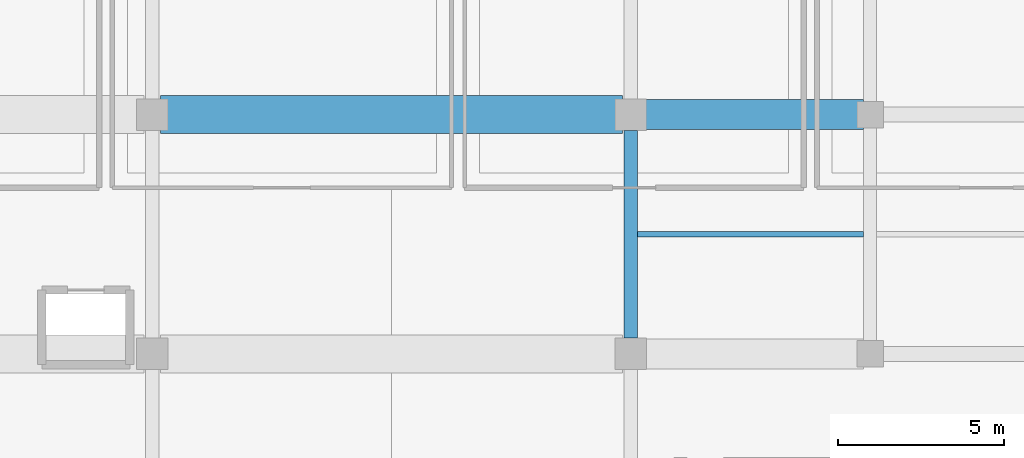
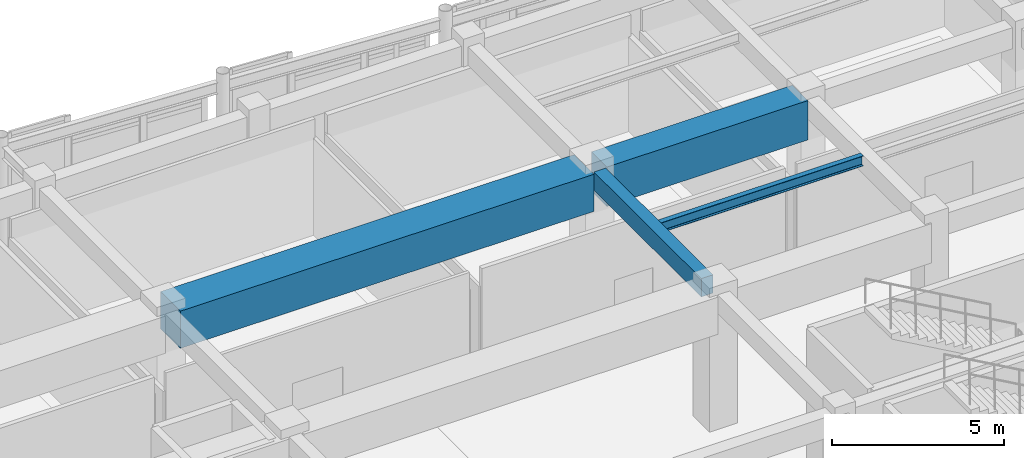
# One storey, part 55 of 117: 4 beams.
"""IFC4 building model written with IfcOpenShell, lengths in metres."""

import ifcopenshell
import ifcopenshell.guid

model = None  # the IFC model being written
_history = None  # IfcOwnerHistory: only IFC2X3 demands one
_inside = {}  # id of a spatial element -> (the spatial element, [elements in it])
_under = {}  # id of a project, library or spatial element -> (it, [spatial elements below it])
_declared = {}  # id of a project -> (the project, [libraries it declares])
_typed = {}  # id of a type object -> (the type object, [elements of that type])
_made_of = {}  # id of a material, layer set ... -> (it, [elements and type objects made of it])


def new_model(schema):
    """Start an empty IFC model of exactly this schema.

    Asked for "IFC4X3", IfcOpenShell would pick the latest addendum, in which some entities
    have other attributes; the version numbers below select the first issue.
    IFC2X3 requires an IfcOwnerHistory on every rooted entity: one is made here for all.
    """
    global model, _history
    if schema == "IFC4X3":
        model = ifcopenshell.file(schema_version=(4, 3, 0, 0))
    else:
        model = ifcopenshell.file(schema=schema)
    _inside.clear()
    _under.clear()
    _declared.clear()
    _typed.clear()
    _made_of.clear()
    _history = None
    if model.schema == "IFC2X3":
        org = make("IfcOrganization", Name="unknown")
        user = make(
            "IfcPersonAndOrganization",
            ThePerson=make("IfcPerson", FamilyName="unknown"),
            TheOrganization=org,
        )
        app = make(
            "IfcApplication",
            ApplicationDeveloper=org,
            Version="unknown",
            ApplicationFullName="unknown",
            ApplicationIdentifier="unknown",
        )
        _history = make(
            "IfcOwnerHistory",
            OwningUser=user,
            OwningApplication=app,
            ChangeAction="ADDED",
            CreationDate=0,
        )
    return model


def make(cls, **values):
    """One entity of the class cls with the attributes given. An attribute that is None is left unset."""
    return model.create_entity(
        cls, **{name: value for name, value in values.items() if value is not None}
    )


def rooted(cls, **values):
    """An entity with a GlobalId (a new one), such as an element, a storey or a relation."""
    return make(cls, GlobalId=ifcopenshell.guid.new(), OwnerHistory=_history, **values)


def si_unit(unit_type, name, prefix=None):
    """IfcSIUnit, for example si_unit("LENGTHUNIT", "METRE", prefix="MILLI")."""
    return make("IfcSIUnit", UnitType=unit_type, Prefix=prefix, Name=name)


def assignment(units):
    """IfcUnitAssignment: the units of a project."""
    return None if units is None else make("IfcUnitAssignment", Units=units)


def point(xyz):
    """IfcCartesianPoint."""
    return None if xyz is None else make("IfcCartesianPoint", Coordinates=xyz)


def direction(xyz):
    """IfcDirection."""
    return None if xyz is None else make("IfcDirection", DirectionRatios=xyz)


def frame(location, z_axis=None, x_axis=None):
    """IfcAxis2Placement3D, a coordinate frame: its origin and axes. An axis left out is left unset."""
    return make(
        "IfcAxis2Placement3D",
        Location=point(location),
        Axis=direction(z_axis),
        RefDirection=direction(x_axis),
    )


def frame_2d(location, x_axis=None):
    """IfcAxis2Placement2D, a coordinate frame in the plane: its origin and x axis."""
    return make(
        "IfcAxis2Placement2D", Location=point(location), RefDirection=direction(x_axis)
    )


def origin():
    """The frame at (0, 0, 0) with its axes left unset."""
    return frame((0.0, 0.0, 0.0))


def origin_2d():
    """The frame at (0, 0) in the plane with its x axis left unset."""
    return frame_2d((0.0, 0.0))


def place(relative_to, where):
    """IfcLocalPlacement: puts the frame where relative to a parent placement (None: the world)."""
    return make(
        "IfcLocalPlacement", PlacementRelTo=relative_to, RelativePlacement=where
    )


def context(
    kind, dimensions, precision=None, world=None, true_north=None, identifier=None
):
    """IfcGeometricRepresentationContext, for example the 3D "Model" context."""
    return make(
        "IfcGeometricRepresentationContext",
        ContextIdentifier=identifier,
        ContextType=kind,
        CoordinateSpaceDimension=dimensions,
        Precision=precision,
        WorldCoordinateSystem=world,
        TrueNorth=true_north,
    )


def subcontext(parent, identifier, kind, view, scale=None):
    """IfcGeometricRepresentationSubContext, for example "Body" below "Model"."""
    return make(
        "IfcGeometricRepresentationSubContext",
        ContextIdentifier=identifier,
        ContextType=kind,
        ParentContext=parent,
        TargetScale=scale,
        TargetView=view,
    )


def project(units=None, contexts=None):
    """IfcProject with its units and contexts."""
    return rooted(
        "IfcProject",
        Name="project",
        RepresentationContexts=contexts,
        UnitsInContext=assignment(units),
    )


def spatial(cls, under=None, at=None, **own):
    """A site, building, storey or space (cls), placed at a placement, below another one or the project."""
    s = rooted(cls, ObjectPlacement=at, **own)
    if under is not None:
        _under.setdefault(under.id(), (under, []))[1].append(s)
    return s


def profile(cls, at=None, kind="AREA", **sizes):
    """A parametric profile (cls). Its sizes go by their IFC names, for example OverallWidth=200.0."""
    return make(cls, ProfileType=kind, Position=at, **sizes)


def rectangle(**sizes):
    """IfcRectangleProfileDef."""
    return profile("IfcRectangleProfileDef", **sizes)


def i_section(**sizes):
    """IfcIShapeProfileDef."""
    return profile("IfcIShapeProfileDef", **sizes)


def extrude(swept, where, along, depth):
    """IfcExtrudedAreaSolid: the profile swept, set in the frame where, extruded along a direction by depth."""
    return make(
        "IfcExtrudedAreaSolid",
        SweptArea=swept,
        Position=where,
        ExtrudedDirection=direction(along),
        Depth=depth,
    )


def shape(context_of_items, identifier, shape_type, items):
    """IfcShapeRepresentation: the items that make up one representation, for example the "Body"."""
    return make(
        "IfcShapeRepresentation",
        ContextOfItems=context_of_items,
        RepresentationIdentifier=identifier,
        RepresentationType=shape_type,
        Items=items,
    )


def material(Name=None, Category=None):
    """IfcMaterial."""
    return make("IfcMaterial", Name=Name, Category=Category)


def material_profile(
    of_material, cross_section, Name=None, Category=None, Priority=None
):
    """IfcMaterialProfile: a cross section and its material."""
    return make(
        "IfcMaterialProfile",
        Name=Name,
        Material=of_material,
        Profile=cross_section,
        Priority=Priority,
        Category=Category,
    )


def profile_set(profiles, Name=None, composite=None):
    """IfcMaterialProfileSet."""
    return make(
        "IfcMaterialProfileSet",
        Name=Name,
        MaterialProfiles=profiles,
        CompositeProfile=composite,
    )


def made_of(thing, what):
    """Note that an element or type object is made of a material, layer set ...; save() writes the relation."""
    if what is not None:
        _made_of.setdefault(what.id(), (what, []))[1].append(thing)
    return thing


def type_object(cls, material=None, **own):
    """A type object (cls), such as IfcWallType, which elements share."""
    return made_of(rooted(cls, **own), material)


def element(
    cls,
    number,
    at=None,
    inside=None,
    cuts=None,
    type_object=None,
    material=None,
    context=None,
    identifier="Body",
    shape_type=None,
    held_by="IfcProductDefinitionShape",
    body=None,
    shapes=None,
    **own,
):
    """One element of the class cls, such as IfcWall. Its Tag is "e" and its number.

    at: its placement. inside: the storey or other place that contains it. cuts: it is an
    opening in that element (IfcRelVoidsElement). A single representation is given by context,
    identifier, shape_type and body (its items); several are given by shapes. held_by: the class
    of the entity that holds the representations. save() writes the other relations.
    """
    e = rooted(cls, Tag="e%d" % number, ObjectPlacement=at, **own)
    if body is not None:
        shapes = [shape(context, identifier, shape_type, body)]
    if shapes is not None:
        e.Representation = make(held_by, Representations=shapes)
    if inside is not None:
        _inside.setdefault(inside.id(), (inside, []))[1].append(e)
    if cuts is not None:
        rooted(
            "IfcRelVoidsElement", RelatingBuildingElement=cuts, RelatedOpeningElement=e
        )
    if type_object is not None:
        _typed.setdefault(type_object.id(), (type_object, []))[1].append(e)
    return made_of(e, material)


def aggregate(whole, parts):
    """IfcRelAggregates: a whole, such as a stair, and the parts it consists of."""
    return rooted("IfcRelAggregates", RelatingObject=whole, RelatedObjects=parts)


def save(model, path):
    """Write the relations noted so far, then the file.

    IfcRelAggregates (storeys below a building ...), IfcRelContainedInSpatialStructure (elements
    in a storey), IfcRelDefinesByType, IfcRelAssociatesMaterial and IfcRelDeclares: one each for
    every whole, place, type object, material and project.
    """
    for whole, parts in _under.values():
        aggregate(whole, parts)
    for where, things in _inside.values():
        rooted(
            "IfcRelContainedInSpatialStructure",
            RelatedElements=things,
            RelatingStructure=where,
        )
    for kind, things in _typed.values():
        rooted("IfcRelDefinesByType", RelatedObjects=things, RelatingType=kind)
    for what, things in _made_of.values():
        rooted("IfcRelAssociatesMaterial", RelatedObjects=things, RelatingMaterial=what)
    for by, libraries in _declared.values():
        rooted("IfcRelDeclares", RelatingContext=by, RelatedDefinitions=libraries)
    model.write(path)


model = new_model("IFC4")

# Units and contexts
model_context = context("Model", 3, precision=1e-05, world=origin(), true_north=direction((0.0, 1.0)))
body_context = subcontext(model_context, "Body", "Model", "MODEL_VIEW")
ifc_project = project(units=[si_unit("LENGTHUNIT", "METRE"), si_unit("AREAUNIT", "SQUARE_METRE"), si_unit("VOLUMEUNIT", "CUBIC_METRE"), si_unit("PLANEANGLEUNIT", "RADIAN"), si_unit("MASSUNIT", "GRAM", prefix="KILO")], contexts=[model_context])

# Site, building, storey
site_placement = place(None, origin())
site = spatial("IfcSite", under=ifc_project, at=site_placement, CompositionType="ELEMENT")
building_placement = place(site_placement, origin())
building = spatial("IfcBuilding", under=site, at=building_placement, Name="Carrowvane Square Congress Hotel", CompositionType="ELEMENT")
storey_placement = place(building_placement, frame((0.0, 0.0, 5.39990234375)))
storey = spatial("IfcBuildingStorey", under=building, at=storey_placement, Name="L01", CompositionType="ELEMENT", Elevation=5.39990234375)

# Beams
ifc_material_1 = material(Name="Concrete C35/45", Category="concrete")
ifc_material_profile_1 = material_profile(ifc_material_1, rectangle(XDim=0.39990234375, YDim=0.64990234375, at=origin_2d()), Name="RC 400x650")
ifc_profile_set_1 = profile_set([ifc_material_profile_1], Name="Concrete C35/45")
beam_type_1 = type_object("IfcBeamType", Name="BM-RC-400x650", PredefinedType="BEAM", material=ifc_profile_set_1)
beam_1_placement = place(storey_placement, frame((134.0, 99.47509765625, 4.455078125), z_axis=(0.0, 1.0, 0.0), x_axis=(-1.0, 0.0, 0.0)))
element("IfcBeam", 1, at=beam_1_placement, inside=storey, type_object=beam_type_1, Name="L02 girder 18/P-Q", PredefinedType="BEAM", context=body_context, shape_type="SweptSolid", body=[
    extrude(rectangle(XDim=0.39990234375, YDim=0.64990234375, at=origin_2d()), origin(), (0.0, 0.0, 1.0), 6.25),
])
ifc_material_2 = material(Name="Steel S355", Category="steel")
ifc_material_profile_2 = material_profile(ifc_material_2, i_section(OverallWidth=0.172119140625, OverallDepth=0.35791015625, WebThickness=0.008056640625, FlangeThickness=0.012939453125, FilletRadius=0.01025390625, at=origin_2d()), Name="UKB 356x171x57")
ifc_profile_set_2 = profile_set([ifc_material_profile_2], Name="Steel S355")
beam_type_2 = type_object("IfcBeamType", Name="BM-ST-UKB356", PredefinedType="JOIST", material=ifc_profile_set_2)
beam_2_placement = place(storey_placement, frame((134.199951171875, 102.60009765625, 4.60107421875), z_axis=(1.0, 0.0, 0.0), x_axis=(0.0, 1.0, 0.0)))
element("IfcBeam", 2, at=beam_2_placement, inside=storey, type_object=beam_type_2, Name="L02 secondary joist 18-19", PredefinedType="JOIST", context=body_context, shape_type="SweptSolid", body=[
    extrude(i_section(OverallWidth=0.172119140625, OverallDepth=0.35791015625, WebThickness=0.008056640625, FlangeThickness=0.012939453125, FilletRadius=0.01025390625, at=origin_2d()), origin(), (0.0, 0.0, 1.0), 6.800048828125),
])
ifc_material_3 = material(Name="Concrete C40/50", Category="concrete")
ifc_material_profile_3 = material_profile(ifc_material_3, rectangle(XDim=1.14990234375, YDim=1.320068359375, at=origin_2d()), Name="RC 1150x1320")
ifc_profile_set_3 = profile_set([ifc_material_profile_3], Name="Concrete C40/50")
beam_type_3 = type_object("IfcBeamType", Name="TG-RC-1000x1650", PredefinedType="USERDEFINED", material=ifc_profile_set_3)
beam_3_placement = place(storey_placement, frame((119.85009765625, 106.199951171875, 4.1201171875), z_axis=(1.0, 0.0, 0.0), x_axis=(0.0, 1.0, 0.0)))
element("IfcBeam", 3, at=beam_3_placement, inside=storey, type_object=beam_type_3, Name="L02 transfer girder 16-18/Q", ObjectType="GIRDER", PredefinedType="USERDEFINED", context=body_context, shape_type="SweptSolid", body=[
    extrude(rectangle(XDim=1.14990234375, YDim=1.320068359375, at=origin_2d()), origin(), (0.0, 0.0, 1.0), 13.89990234375),
])
ifc_material_4 = material(Name="Concrete C40/50", Category="concrete")
ifc_material_profile_4 = material_profile(ifc_material_4, rectangle(XDim=0.89990234375, YDim=1.39990234375, at=origin_2d()), Name="RC 900x1400")
ifc_profile_set_4 = profile_set([ifc_material_profile_4], Name="Concrete C40/50")
beam_type_4 = type_object("IfcBeamType", Name="TG-RC-900x1400", PredefinedType="USERDEFINED", material=ifc_profile_set_4)
beam_4_placement = place(storey_placement, frame((134.25, 106.199951171875, 4.080078125), z_axis=(1.0, 0.0, 0.0), x_axis=(0.0, 1.0, 0.0)))
element("IfcBeam", 4, at=beam_4_placement, inside=storey, type_object=beam_type_4, Name="L02 transition girder 18-19/Q", ObjectType="GIRDER", PredefinedType="USERDEFINED", context=body_context, shape_type="SweptSolid", body=[
    extrude(rectangle(XDim=0.89990234375, YDim=1.39990234375, at=origin_2d()), origin(), (0.0, 0.0, 1.0), 6.75),
])

save(model, "model.ifc")
